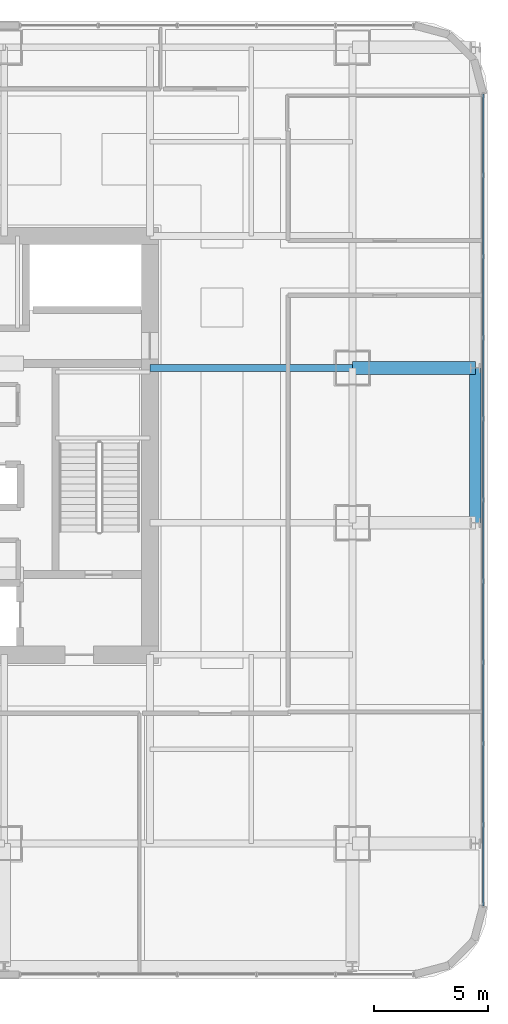
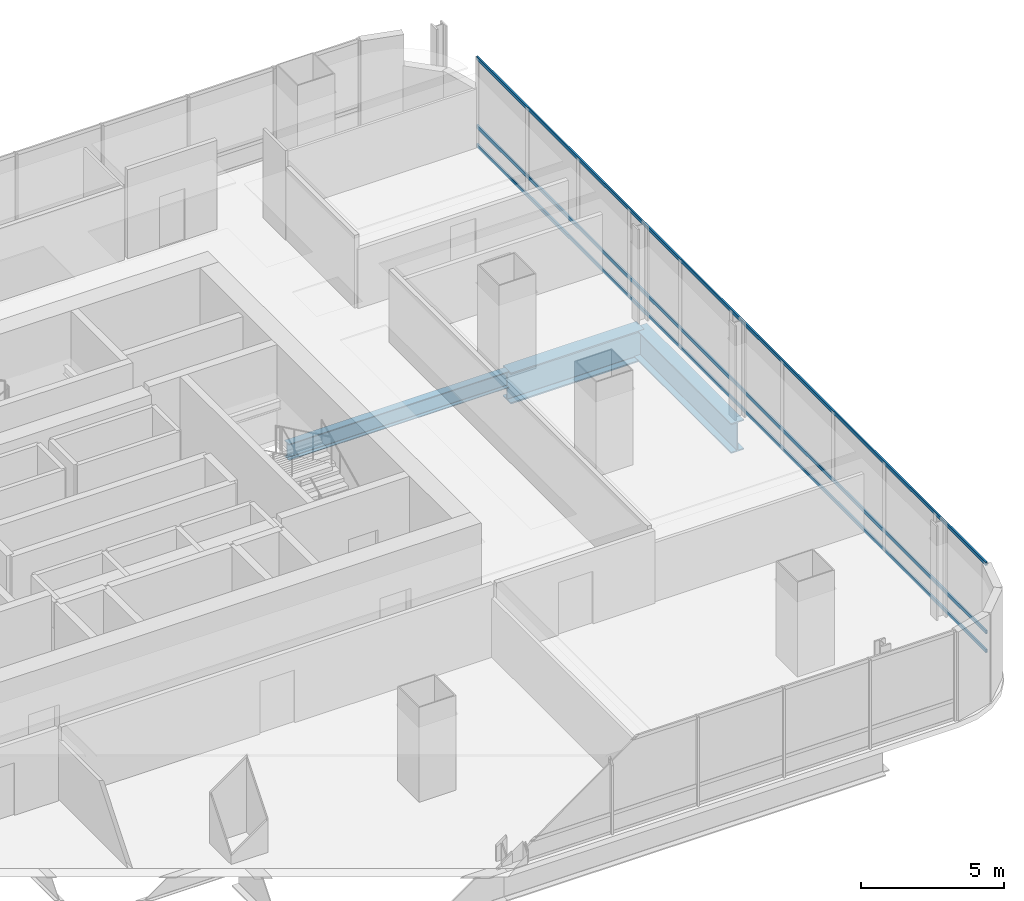
# One storey, part 15 of 40: 3 beams, 3 members, 1 element without a shape of its own.
"""IFC4 building model written with IfcOpenShell, lengths in metres."""

from ifc_helpers import new_model, si_unit, direction, frame, origin, origin_2d, place, context, subcontext, project, spatial, hollow_rectangle, i_section, extrude, material, material_profile, profile_set, type_object, element, aggregate, save


model = new_model("IFC4")

# Units and contexts
model_context = context("Model", 3, precision=1e-05, world=origin(), true_north=direction((0.0, 1.0)))
body_context = subcontext(model_context, "Body", "Model", "MODEL_VIEW")
ifc_project = project(units=[si_unit("LENGTHUNIT", "METRE"), si_unit("AREAUNIT", "SQUARE_METRE"), si_unit("VOLUMEUNIT", "CUBIC_METRE"), si_unit("PLANEANGLEUNIT", "RADIAN"), si_unit("MASSUNIT", "GRAM", prefix="KILO")], contexts=[model_context])

# Site, building, storey
site_placement = place(None, origin())
site = spatial("IfcSite", under=ifc_project, at=site_placement, CompositionType="ELEMENT")
building_placement = place(site_placement, origin())
building = spatial("IfcBuilding", under=site, at=building_placement, Name="Punatoya Terracotta Tower", CompositionType="ELEMENT")
storey_placement = place(building_placement, frame((0.0, 0.0, 76.800048828125)))
storey = spatial("IfcBuildingStorey", under=building, at=storey_placement, Name="L17", CompositionType="ELEMENT", Elevation=76.800048828125)

# Beams
ifc_material_1 = material(Name="Steel S355", Category="steel")
ifc_material_profile_1 = material_profile(ifc_material_1, i_section(OverallWidth=0.300048828125, OverallDepth=0.699951171875, WebThickness=0.01708984375, FlangeThickness=0.031982421875, FilletRadius=0.01806640625, at=origin_2d()))
ifc_profile_set_1 = profile_set([ifc_material_profile_1], Name="Steel S355")
beam_type_1 = type_object("IfcBeamType", Name="BM-PRI-700", PredefinedType="BEAM", material=ifc_profile_set_1)
beam_1_placement = place(storey_placement, frame((10.199951171875, 3.39990234375, -0.590087890625), z_axis=(1.0, 0.0, 0.0), x_axis=(0.0, 1.0, 0.0)))
element("IfcBeam", 1, at=beam_1_placement, inside=storey, type_object=beam_type_1, Name="BM-L17-PR-EE", PredefinedType="BEAM", context=body_context, shape_type="SweptSolid", body=[
    extrude(i_section(OverallWidth=0.300048828125, OverallDepth=0.699951171875, WebThickness=0.01708984375, FlangeThickness=0.031982421875, FilletRadius=0.01806640625, at=origin_2d()), origin(), (0.0, 0.0, 1.0), 8.900146484375),
])
ifc_material_2 = material(Name="Steel S460", Category="steel")
ifc_material_profile_2 = material_profile(ifc_material_2, i_section(OverallWidth=0.56005859375, OverallDepth=1.320068359375, WebThickness=0.035888671875, FlangeThickness=0.054931640625, FilletRadius=0.01806640625, at=origin_2d()))
ifc_profile_set_2 = profile_set([ifc_material_profile_2], Name="Steel S460")
beam_type_2 = type_object("IfcBeamType", Name="BM-TG-BLK", PredefinedType="BEAM", material=ifc_profile_set_2)
beam_2_placement = place(storey_placement, frame((19.10009765625, 3.39990234375, -0.900146484375), z_axis=(1.0, 0.0, 0.0), x_axis=(0.0, 1.0, 0.0)))
element("IfcBeam", 2, at=beam_2_placement, inside=storey, type_object=beam_type_2, Name="BM-L17-CANT-E3", PredefinedType="BEAM", context=body_context, shape_type="SweptSolid", body=[
    extrude(i_section(OverallWidth=0.56005859375, OverallDepth=1.320068359375, WebThickness=0.035888671875, FlangeThickness=0.054931640625, FilletRadius=0.01806640625, at=origin_2d()), origin(), (0.0, 0.0, 1.0), 5.39990234375),
])
ifc_material_profile_3 = material_profile(ifc_material_2, i_section(OverallWidth=0.52001953125, OverallDepth=1.280029296875, WebThickness=0.031982421875, FlangeThickness=0.050048828125, FilletRadius=0.01806640625, at=origin_2d()))
ifc_profile_set_3 = profile_set([ifc_material_profile_3], Name="Steel S460")
beam_type_3 = type_object("IfcBeamType", Name="BM-TG-NCK", PredefinedType="BEAM", material=ifc_profile_set_3)
beam_3_placement = place(storey_placement, frame((24.5, -3.39990234375, -0.880126953125), z_axis=(0.0, 1.0, 0.0), x_axis=(-1.0, 0.0, 0.0)))
element("IfcBeam", 3, at=beam_3_placement, inside=storey, type_object=beam_type_3, Name="BM-L17-PER-E2", PredefinedType="BEAM", context=body_context, shape_type="SweptSolid", body=[
    extrude(i_section(OverallWidth=0.52001953125, OverallDepth=1.280029296875, WebThickness=0.031982421875, FlangeThickness=0.050048828125, FilletRadius=0.01806640625, at=origin_2d()), origin(), (0.0, 0.0, 1.0), 6.7998046875),
])

# Curtain wall, members
ifc_material_3 = material(Name="Aluminium 6063-T6 + Double Low-E Glass", Category="aluminium")
curtain_wall_type = type_object("IfcCurtainWallType", Name="CW-M1", PredefinedType="NOTDEFINED", material=ifc_material_3)
curtain_wall_placement = place(storey_placement, origin())
curtain_wall = element("IfcCurtainWall", 4, at=curtain_wall_placement, inside=storey, type_object=curtain_wall_type, Name="L17 Curtain Wall CW-L17-E05-1", PredefinedType="NOTDEFINED")
ifc_material_4 = material(Name="Aluminium 6063-T6", Category="aluminium")
ifc_material_profile_4 = material_profile(ifc_material_4, hollow_rectangle(XDim=0.068115234375, YDim=0.14990234375, WallThickness=0.00390625, at=origin_2d()))
ifc_profile_set_4 = profile_set([ifc_material_profile_4], Name="Aluminium 6063-T6")
member_type = type_object("IfcMemberType", Name="CW-TRN-TYP", PredefinedType="USERDEFINED", material=ifc_profile_set_4)
member_1_placement = place(storey_placement, frame((24.85009765625, -20.23681640625, 0.0400390625), z_axis=(0.0, 1.0, 0.0), x_axis=(-1.0, 0.0, 0.0)))
member_1 = element("IfcMember", 5, at=member_1_placement, type_object=member_type, Name="CW-L17-E05-1 Transom 1", ObjectType="TRANSOM", PredefinedType="USERDEFINED", context=body_context, shape_type="SweptSolid", body=[
    extrude(hollow_rectangle(XDim=0.068115234375, YDim=0.14990234375, WallThickness=0.00390625, at=origin_2d()), origin(), (0.0, 0.0, 1.0), 35.673828125),
])
member_2_placement = place(storey_placement, frame((24.85009765625, -20.23681640625, 0.849853515625), z_axis=(0.0, 1.0, 0.0), x_axis=(-1.0, 0.0, 0.0)))
member_2 = element("IfcMember", 6, at=member_2_placement, type_object=member_type, Name="CW-L17-E05-1 Transom 2", ObjectType="TRANSOM", PredefinedType="USERDEFINED", context=body_context, shape_type="SweptSolid", body=[
    extrude(hollow_rectangle(XDim=0.068115234375, YDim=0.14990234375, WallThickness=0.00390625, at=origin_2d()), origin(), (0.0, 0.0, 1.0), 35.673828125),
])
member_3_placement = place(storey_placement, frame((24.85009765625, -20.23681640625, 3.77001953125), z_axis=(0.0, 1.0, 0.0), x_axis=(-1.0, 0.0, 0.0)))
member_3 = element("IfcMember", 7, at=member_3_placement, type_object=member_type, Name="CW-L17-E05-1 Transom 3", ObjectType="TRANSOM", PredefinedType="USERDEFINED", context=body_context, shape_type="SweptSolid", body=[
    extrude(hollow_rectangle(XDim=0.068115234375, YDim=0.14990234375, WallThickness=0.00390625, at=origin_2d()), origin(), (0.0, 0.0, 1.0), 35.673828125),
])
aggregate(curtain_wall, [member_1, member_2, member_3])

save(model, "model.ifc")
